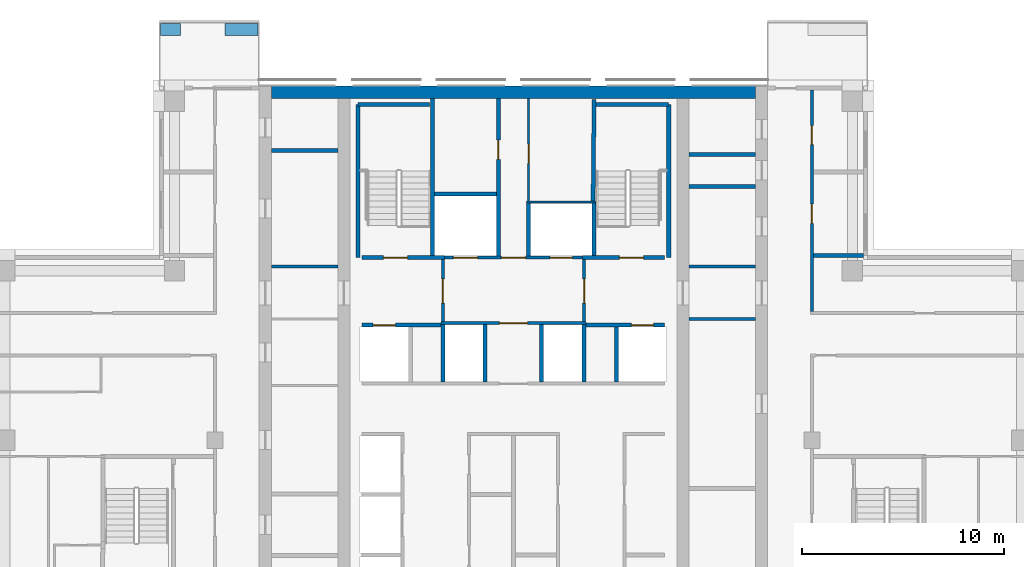
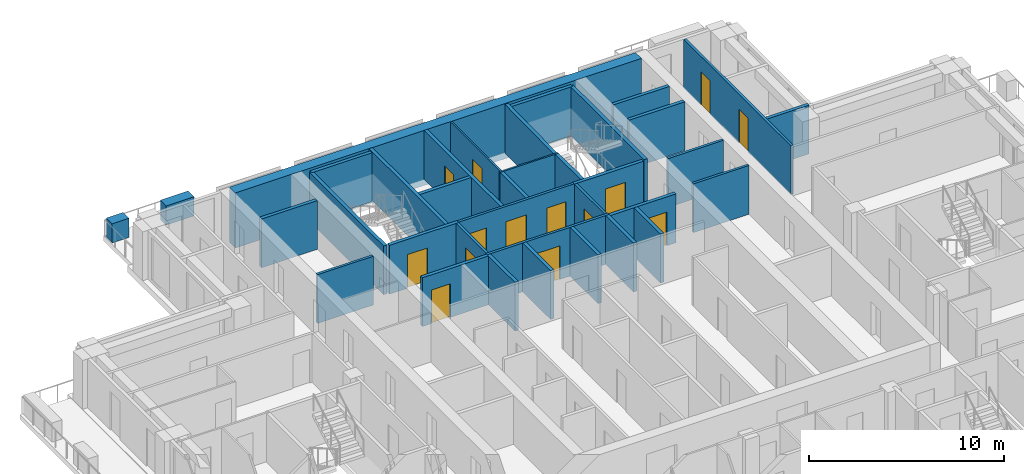
# One storey, part 11 of 17: 36 walls, 14 doors, 14 openings.
"""IFC4 building model written with IfcOpenShell, lengths in metres."""

from ifc_helpers import new_model, si_unit, direction, frame, frame_2d, origin, place, context, subcontext, project, spatial, rectangle, extrude, material, layer, layer_set, type_object, element, fill, save


model = new_model("IFC4")

# Units and contexts
model_context = context("Model", 3, precision=1e-05, world=origin(), true_north=direction((0.0, 1.0)))
body_context = subcontext(model_context, "Body", "Model", "MODEL_VIEW")
ifc_project = project(units=[si_unit("LENGTHUNIT", "METRE"), si_unit("AREAUNIT", "SQUARE_METRE"), si_unit("VOLUMEUNIT", "CUBIC_METRE"), si_unit("PLANEANGLEUNIT", "RADIAN"), si_unit("MASSUNIT", "GRAM", prefix="KILO")], contexts=[model_context])

# Site, building, storey
site_placement = place(None, origin())
site = spatial("IfcSite", under=ifc_project, at=site_placement, CompositionType="ELEMENT")
building_placement = place(site_placement, origin())
building = spatial("IfcBuilding", under=site, at=building_placement, Name="Vermilion Ogive Tower", CompositionType="ELEMENT")
storey_placement = place(building_placement, frame((0.0, 0.0, 196.25)))
storey = spatial("IfcBuildingStorey", under=building, at=storey_placement, Name="L51", CompositionType="ELEMENT", Elevation=196.25)

# Walls
ifc_material_1 = material(Name="Concrete B60", Category="concrete")
ifc_layer_1 = layer(ifc_material_1, 0.60009765625)
ifc_layer_set_1 = layer_set([ifc_layer_1], Name="Core wall 600 B60")
wall_type_1 = type_object("IfcWallType", Name="Core wall 600 B60", PredefinedType="SHEAR", material=ifc_layer_set_1)
wall_1_placement = place(storey_placement, frame((-12.0, 21.449951171875, -0.39990234375), z_axis=(0.0, 0.0, 1.0), x_axis=(1.0, 0.0, 0.0)))
element("IfcWall", 1, at=wall_1_placement, inside=storey, type_object=wall_type_1, Name="L51-CORE-N", PredefinedType="SHEAR", context=body_context, shape_type="SweptSolid", body=[
    extrude(rectangle(XDim=24.0, YDim=0.60009765625, at=frame_2d((12.0, 0.0))), origin(), (0.0, 0.0, 1.0), 3.449951171875),
])
ifc_material_2 = material(Name="Gypsum board partition on steel studs", Category="steel")
ifc_layer_2 = layer(ifc_material_2, 0.10009765625)
ifc_layer_set_2 = layer_set([ifc_layer_2], Name="Partition 100 bath")
wall_type_2 = type_object("IfcWallType", Name="Partition 100 bath", PredefinedType="PARTITIONING", material=ifc_layer_set_2)
wall_2_placement = place(storey_placement, frame((0.64990234375, 16.0, 0.0), z_axis=(0.0, 0.0, 1.0), x_axis=(1.0, 0.0, 0.0)))
element("IfcWall", 2, at=wall_2_placement, inside=storey, type_object=wall_type_2, Name="L51-CK-W-W018", PredefinedType="PARTITIONING", context=body_context, shape_type="SweptSolid", body=[
    extrude(rectangle(XDim=3.4501953125, YDim=0.10009765625, at=frame_2d((1.72509765625, 0.0))), origin(), (0.0, 0.0, 1.0), 3.050048828125),
])

# Wall, opening, door
wall_3_placement = place(storey_placement, frame((0.75, 16.050048828125, 0.0), z_axis=(0.0, 0.0, 1.0), x_axis=(0.0, 1.0, 0.0)))
wall_3 = element("IfcWall", 3, at=wall_3_placement, inside=storey, type_object=wall_type_2, Name="L51-CK-W-W030", PredefinedType="PARTITIONING", context=body_context, shape_type="SweptSolid", body=[
    extrude(rectangle(XDim=5.098876953125, YDim=0.10009765625, at=frame_2d((2.54931640625, 0.0))), origin(), (0.0, 0.0, 1.0), 3.050048828125),
])
opening_1_placement = place(wall_3_placement, frame((1.875, 0.0, 0.0)))
opening_1 = element("IfcOpeningElement", 4, at=opening_1_placement, cuts=wall_3, Name="Opening DAA455", PredefinedType="OPENING", context=body_context, shape_type="SweptSolid", body=[
    extrude(rectangle(XDim=0.949951171875, YDim=2.10009765625, at=frame_2d((0.47509765625, 1.050048828125))), frame((0.0, 0.06005859375, 0.0), z_axis=(0.0, -1.0, 0.0), x_axis=(1.0, 0.0, 0.0)), (0.0, 0.0, 1.0), 0.1201171875),
])
ifc_material_3 = material(Name="Timber door leaf", Category="wood")
door_type_1 = type_object("IfcDoorType", Name="Service door 950 x 2100 FD60", OperationType="SINGLE_SWING_LEFT", PredefinedType="DOOR", material=ifc_material_3)
door_1_placement = place(opening_1_placement, origin())
door_1 = element("IfcDoor", 5, at=door_1_placement, inside=storey, type_object=door_type_1, Name="L51-CK-D-D022", OperationType="SINGLE_SWING_LEFT", OverallHeight=2.10009765625, OverallWidth=0.949951171875, PredefinedType="DOOR", context=body_context, shape_type="SweptSolid", body=[
    extrude(rectangle(XDim=0.949951171875, YDim=2.10009765625, at=frame_2d((0.47509765625, 1.050048828125))), frame((0.0, 0.02490234375, 0.0), z_axis=(0.0, -1.0, 0.0), x_axis=(1.0, 0.0, 0.0)), (0.0, 0.0, 1.0), 0.050048828125),
])
fill(opening_1, door_1)

# Wall, openings, doors
ifc_material_4 = material(Name="Gypsum board partition on steel studs", Category="steel")
ifc_layer_3 = layer(ifc_material_4, 0.14990234375)
ifc_layer_set_3 = layer_set([ifc_layer_3], Name="Partition 150 corridor")
wall_type_3 = type_object("IfcWallType", Name="Partition 150 corridor", PredefinedType="PARTITIONING", material=ifc_layer_set_3)
wall_4_placement = place(storey_placement, frame((14.800048828125, 10.574951171875, 0.0), z_axis=(0.0, 0.0, 1.0), x_axis=(0.0, 1.0, 0.0)))
wall_4 = element("IfcWall", 6, at=wall_4_placement, inside=storey, type_object=wall_type_3, Name="L51-W-W078", PredefinedType="PARTITIONING", context=body_context, shape_type="SweptSolid", body=[
    extrude(rectangle(XDim=10.97509765625, YDim=0.14990234375, at=frame_2d((5.487548828125, 0.0))), origin(), (0.0, 0.0, 1.0), 3.050048828125),
])
opening_2_placement = place(wall_4_placement, frame((4.375, 0.0, 0.0)))
opening_2 = element("IfcOpeningElement", 7, at=opening_2_placement, cuts=wall_4, Name="Opening D4G3023", PredefinedType="OPENING", context=body_context, shape_type="SweptSolid", body=[
    extrude(rectangle(XDim=0.949951171875, YDim=2.10009765625, at=frame_2d((0.47509765625, 1.050048828125))), frame((0.0, 0.0849609375, 0.0), z_axis=(0.0, -1.0, 0.0), x_axis=(1.0, 0.0, 0.0)), (0.0, 0.0, 1.0), 0.169921875),
])
opening_3_placement = place(wall_4_placement, frame((8.275146484375, 0.0, 0.0)))
opening_3 = element("IfcOpeningElement", 8, at=opening_3_placement, cuts=wall_4, Name="Opening D4G3024", PredefinedType="OPENING", context=body_context, shape_type="SweptSolid", body=[
    extrude(rectangle(XDim=0.949951171875, YDim=2.10009765625, at=frame_2d((0.47509765625, 1.050048828125))), frame((0.0, 0.0849609375, 0.0), z_axis=(0.0, -1.0, 0.0), x_axis=(1.0, 0.0, 0.0)), (0.0, 0.0, 1.0), 0.169921875),
])
ifc_material_5 = material(Name="Timber door leaf", Category="wood")
door_type_2 = type_object("IfcDoorType", Name="Unit door 950 x 2100 FD30S", OperationType="SINGLE_SWING_LEFT", PredefinedType="DOOR", material=ifc_material_5)
door_2_placement = place(opening_2_placement, origin())
door_2 = element("IfcDoor", 9, at=door_2_placement, inside=storey, type_object=door_type_2, Name="L51-D-D023", OperationType="SINGLE_SWING_RIGHT", OverallHeight=2.10009765625, OverallWidth=0.949951171875, PredefinedType="DOOR", context=body_context, shape_type="SweptSolid", body=[
    extrude(rectangle(XDim=0.949951171875, YDim=2.10009765625, at=frame_2d((0.47509765625, 1.050048828125))), frame((0.0, 0.02490234375, 0.0), z_axis=(0.0, -1.0, 0.0), x_axis=(1.0, 0.0, 0.0)), (0.0, 0.0, 1.0), 0.050048828125),
])
fill(opening_2, door_2)
door_3_placement = place(opening_3_placement, origin())
door_3 = element("IfcDoor", 10, at=door_3_placement, inside=storey, type_object=door_type_2, Name="L51-D-D024", OperationType="SINGLE_SWING_LEFT", OverallHeight=2.10009765625, OverallWidth=0.949951171875, PredefinedType="DOOR", context=body_context, shape_type="SweptSolid", body=[
    extrude(rectangle(XDim=0.949951171875, YDim=2.10009765625, at=frame_2d((0.47509765625, 1.050048828125))), frame((0.0, 0.02490234375, 0.0), z_axis=(0.0, -1.0, 0.0), x_axis=(1.0, 0.0, 0.0)), (0.0, 0.0, 1.0), 0.050048828125),
])
fill(opening_3, door_3)

# Wall, opening, door
wall_5_placement = place(storey_placement, frame((-3.60009765625, 10.0, 0.0), z_axis=(0.0, 0.0, 1.0), x_axis=(1.0, 0.0, 0.0)))
wall_5 = element("IfcWall", 11, at=wall_5_placement, inside=storey, type_object=wall_type_3, Name="L51-CK-W-W014", PredefinedType="PARTITIONING", context=body_context, shape_type="SweptSolid", body=[
    extrude(rectangle(XDim=7.2001953125, YDim=0.14990234375, at=frame_2d((3.60009765625, 0.0))), origin(), (0.0, 0.0, 1.0), 3.050048828125),
])
opening_4_placement = place(wall_5_placement, frame((2.900146484375, 0.0, 0.0)))
opening_4 = element("IfcOpeningElement", 12, at=opening_4_placement, cuts=wall_5, Name="Opening DAA446", PredefinedType="OPENING", context=body_context, shape_type="SweptSolid", body=[
    extrude(rectangle(XDim=1.39990234375, YDim=2.10009765625, at=frame_2d((0.699951171875, 1.050048828125))), frame((0.0, 0.0849609375, 0.0), z_axis=(0.0, -1.0, 0.0), x_axis=(1.0, 0.0, 0.0)), (0.0, 0.0, 1.0), 0.169921875),
])
ifc_material_6 = material(Name="Timber door leaf", Category="wood")
door_type_3 = type_object("IfcDoorType", Name="Lobby door 1400 x 2100 FD60S", OperationType="SINGLE_SWING_LEFT", PredefinedType="DOOR", material=ifc_material_6)
door_4_placement = place(opening_4_placement, origin())
door_4 = element("IfcDoor", 13, at=door_4_placement, inside=storey, type_object=door_type_3, Name="L51-CK-D-D017", OperationType="SINGLE_SWING_RIGHT", OverallHeight=2.10009765625, OverallWidth=1.39990234375, PredefinedType="DOOR", context=body_context, shape_type="SweptSolid", body=[
    extrude(rectangle(XDim=1.39990234375, YDim=2.10009765625, at=frame_2d((0.699951171875, 1.050048828125))), frame((0.0, 0.02490234375, 0.0), z_axis=(0.0, -1.0, 0.0), x_axis=(1.0, 0.0, 0.0)), (0.0, 0.0, 1.0), 0.050048828125),
])
fill(opening_4, door_4)

# Wall, openings, doors
wall_6_placement = place(storey_placement, frame((-3.574951171875, 13.25, 0.0), z_axis=(0.0, 0.0, 1.0), x_axis=(1.0, 0.0, 0.0)))
wall_6 = element("IfcWall", 14, at=wall_6_placement, inside=storey, type_object=wall_type_3, Name="L51-CK-W-W016", PredefinedType="PARTITIONING", context=body_context, shape_type="SweptSolid", body=[
    extrude(rectangle(XDim=7.14990234375, YDim=0.14990234375, at=frame_2d((3.574951171875, 0.0))), origin(), (0.0, 0.0, 1.0), 3.050048828125),
])
opening_5_placement = place(wall_6_placement, frame((0.599853515625, 0.0, 0.0)))
opening_5 = element("IfcOpeningElement", 15, at=opening_5_placement, cuts=wall_6, Name="Opening DAA466", PredefinedType="OPENING", context=body_context, shape_type="SweptSolid", body=[
    extrude(rectangle(XDim=1.199951171875, YDim=2.10009765625, at=frame_2d((0.60009765625, 1.050048828125))), frame((0.0, 0.0849609375, 0.0), z_axis=(0.0, -1.0, 0.0), x_axis=(1.0, 0.0, 0.0)), (0.0, 0.0, 1.0), 0.169921875),
])
opening_6_placement = place(wall_6_placement, frame((5.39990234375, 0.0, 0.0)))
opening_6 = element("IfcOpeningElement", 16, at=opening_6_placement, cuts=wall_6, Name="Opening DAA465", PredefinedType="OPENING", context=body_context, shape_type="SweptSolid", body=[
    extrude(rectangle(XDim=1.10009765625, YDim=2.10009765625, at=frame_2d((0.550048828125, 1.050048828125))), frame((0.0, 0.0849609375, 0.0), z_axis=(0.0, -1.0, 0.0), x_axis=(1.0, 0.0, 0.0)), (0.0, 0.0, 1.0), 0.169921875),
])
opening_7_placement = place(wall_6_placement, frame((2.974853515625, 0.0, 0.0)))
opening_7 = element("IfcOpeningElement", 17, at=opening_7_placement, cuts=wall_6, Name="Opening DAA447", PredefinedType="OPENING", context=body_context, shape_type="SweptSolid", body=[
    extrude(rectangle(XDim=1.199951171875, YDim=2.10009765625, at=frame_2d((0.60009765625, 1.050048828125))), frame((0.0, 0.0849609375, 0.0), z_axis=(0.0, -1.0, 0.0), x_axis=(1.0, 0.0, 0.0)), (0.0, 0.0, 1.0), 0.169921875),
])
ifc_material_7 = material(Name="Stainless steel", Category="steel")
door_type_4 = type_object("IfcDoorType", Name="Lift landing door 1100 x 2100", OperationType="SLIDING_TO_LEFT", PredefinedType="DOOR", material=ifc_material_7)
door_5_placement = place(opening_6_placement, origin())
door_5 = element("IfcDoor", 18, at=door_5_placement, inside=storey, type_object=door_type_4, Name="L51-CK-D-D019", OperationType="SLIDING_TO_LEFT", OverallHeight=2.10009765625, OverallWidth=1.10009765625, PredefinedType="DOOR", context=body_context, shape_type="SweptSolid", body=[
    extrude(rectangle(XDim=1.10009765625, YDim=2.10009765625, at=frame_2d((0.550048828125, 1.050048828125))), frame((0.0, 0.02490234375, 0.0), z_axis=(0.0, -1.0, 0.0), x_axis=(1.0, 0.0, 0.0)), (0.0, 0.0, 1.0), 0.050048828125),
])
fill(opening_6, door_5)
ifc_material_8 = material(Name="Stainless steel", Category="steel")
door_type_5 = type_object("IfcDoorType", Name="Lift landing door 1200 x 2100", OperationType="SLIDING_TO_LEFT", PredefinedType="DOOR", material=ifc_material_8)
door_6_placement = place(opening_5_placement, origin())
door_6 = element("IfcDoor", 19, at=door_6_placement, inside=storey, type_object=door_type_5, Name="L51-CK-D-D018", OperationType="SLIDING_TO_RIGHT", OverallHeight=2.10009765625, OverallWidth=1.199951171875, PredefinedType="DOOR", context=body_context, shape_type="SweptSolid", body=[
    extrude(rectangle(XDim=1.199951171875, YDim=2.10009765625, at=frame_2d((0.60009765625, 1.050048828125))), frame((0.0, 0.02490234375, 0.0), z_axis=(0.0, -1.0, 0.0), x_axis=(1.0, 0.0, 0.0)), (0.0, 0.0, 1.0), 0.050048828125),
])
fill(opening_5, door_6)
ifc_material_9 = material(Name="Timber door leaf", Category="wood")
door_type_6 = type_object("IfcDoorType", Name="Service door 1200 x 2100 FD60", OperationType="SINGLE_SWING_LEFT", PredefinedType="DOOR", material=ifc_material_9)
door_7_placement = place(opening_7_placement, origin())
door_7 = element("IfcDoor", 20, at=door_7_placement, inside=storey, type_object=door_type_6, Name="L51-CK-D-D020", OperationType="SINGLE_SWING_RIGHT", OverallHeight=2.10009765625, OverallWidth=1.199951171875, PredefinedType="DOOR", context=body_context, shape_type="SweptSolid", body=[
    extrude(rectangle(XDim=1.199951171875, YDim=2.10009765625, at=frame_2d((0.60009765625, 1.050048828125))), frame((0.0, 0.02490234375, 0.0), z_axis=(0.0, -1.0, 0.0), x_axis=(1.0, 0.0, 0.0)), (0.0, 0.0, 1.0), 0.050048828125),
])
fill(opening_7, door_7)

# Wall, opening, door
wall_7_placement = place(storey_placement, frame((-3.5, 10.074951171875, 0.0), z_axis=(0.0, 0.0, 1.0), x_axis=(0.0, 1.0, 0.0)))
wall_7 = element("IfcWall", 21, at=wall_7_placement, inside=storey, type_object=wall_type_3, Name="L51-CK-W-W024", PredefinedType="PARTITIONING", context=body_context, shape_type="SweptSolid", body=[
    extrude(rectangle(XDim=3.074951171875, YDim=0.14990234375, at=frame_2d((1.53759765625, 0.0))), origin(), (0.0, 0.0, 1.0), 3.050048828125),
])
opening_8_placement = place(wall_7_placement, frame((0.925048828125, 0.0, 0.0)))
opening_8 = element("IfcOpeningElement", 22, at=opening_8_placement, cuts=wall_7, Name="Opening DAA443", PredefinedType="OPENING", context=body_context, shape_type="SweptSolid", body=[
    extrude(rectangle(XDim=1.199951171875, YDim=2.10009765625, at=frame_2d((0.60009765625, 1.050048828125))), frame((0.0, 0.0849609375, 0.0), z_axis=(0.0, -1.0, 0.0), x_axis=(1.0, 0.0, 0.0)), (0.0, 0.0, 1.0), 0.169921875),
])
ifc_material_10 = material(Name="Timber door leaf", Category="wood")
door_type_7 = type_object("IfcDoorType", Name="Lobby door 1200 x 2100 FD60S", OperationType="SINGLE_SWING_LEFT", PredefinedType="DOOR", material=ifc_material_10)
door_8_placement = place(opening_8_placement, origin())
door_8 = element("IfcDoor", 23, at=door_8_placement, inside=storey, type_object=door_type_7, Name="L51-CK-D-D023", OperationType="SINGLE_SWING_RIGHT", OverallHeight=2.10009765625, OverallWidth=1.199951171875, PredefinedType="DOOR", context=body_context, shape_type="SweptSolid", body=[
    extrude(rectangle(XDim=1.199951171875, YDim=2.10009765625, at=frame_2d((0.60009765625, 1.050048828125))), frame((0.0, 0.02490234375, 0.0), z_axis=(0.0, -1.0, 0.0), x_axis=(1.0, 0.0, 0.0)), (0.0, 0.0, 1.0), 0.050048828125),
])
fill(opening_8, door_8)

wall_8_placement = place(storey_placement, frame((3.5, 10.074951171875, 0.0), z_axis=(0.0, 0.0, 1.0), x_axis=(0.0, 1.0, 0.0)))
wall_8 = element("IfcWall", 24, at=wall_8_placement, inside=storey, type_object=wall_type_3, Name="L51-CK-W-W034", PredefinedType="PARTITIONING", context=body_context, shape_type="SweptSolid", body=[
    extrude(rectangle(XDim=3.074951171875, YDim=0.14990234375, at=frame_2d((1.53759765625, 0.0))), origin(), (0.0, 0.0, 1.0), 3.050048828125),
])
opening_9_placement = place(wall_8_placement, frame((0.925048828125, 0.0, 0.0)))
opening_9 = element("IfcOpeningElement", 25, at=opening_9_placement, cuts=wall_8, Name="Opening DAA444", PredefinedType="OPENING", context=body_context, shape_type="SweptSolid", body=[
    extrude(rectangle(XDim=1.199951171875, YDim=2.10009765625, at=frame_2d((0.60009765625, 1.050048828125))), frame((0.0, 0.0849609375, 0.0), z_axis=(0.0, -1.0, 0.0), x_axis=(1.0, 0.0, 0.0)), (0.0, 0.0, 1.0), 0.169921875),
])
door_9_placement = place(opening_9_placement, origin())
door_9 = element("IfcDoor", 26, at=door_9_placement, inside=storey, type_object=door_type_7, Name="L51-CK-D-D024", OperationType="SINGLE_SWING_LEFT", OverallHeight=2.10009765625, OverallWidth=1.199951171875, PredefinedType="DOOR", context=body_context, shape_type="SweptSolid", body=[
    extrude(rectangle(XDim=1.199951171875, YDim=2.10009765625, at=frame_2d((0.60009765625, 1.050048828125))), frame((0.0, 0.02490234375, 0.0), z_axis=(0.0, -1.0, 0.0), x_axis=(1.0, 0.0, 0.0)), (0.0, 0.0, 1.0), 0.050048828125),
])
fill(opening_9, door_9)

# Walls
for number, where, z_axis, x_axis, name in (
    (27, (-11.9990234375, 12.800048828125, 0.0), (0.0, 0.0, 1.0), (1.0, 0.0, 0.0), "L51-CKW-W-W005"),
    (28, (8.700927734375, 10.199951171875, 0.0), (0.0, 0.0, 1.0), (1.0, 0.0, 0.0), "L51-CKE-W-W002"),
    (29, (8.700927734375, 12.800048828125, 0.0), (0.0, 0.0, 1.0), (1.0, 0.0, 0.0), "L51-CKE-W-W003"),
):
    element("IfcWall", number, at=place(storey_placement, frame(where, z_axis=z_axis, x_axis=x_axis)), inside=storey, type_object=wall_type_3, Name=name, PredefinedType="PARTITIONING", context=body_context, shape_type="SweptSolid", body=[
        extrude(rectangle(XDim=3.298095703125, YDim=0.14990234375, at=frame_2d((1.64892578125, 0.0))), origin(), (0.0, 0.0, 1.0), 3.050048828125),
    ])
ifc_material_11 = material(Name="Gypsum board partition on steel studs", Category="steel")
ifc_layer_4 = layer(ifc_material_11, 0.199951171875)
ifc_layer_set_4 = layer_set([ifc_layer_4], Name="Partition 200 party")
wall_type_4 = type_object("IfcWallType", Name="Partition 200 party", PredefinedType="PARTITIONING", material=ifc_layer_set_4)
wall_9_placement = place(storey_placement, frame((14.875, 13.35009765625, 0.0), z_axis=(0.0, 0.0, 1.0), x_axis=(1.0, 0.0, 0.0)))
element("IfcWall", 30, at=wall_9_placement, inside=storey, type_object=wall_type_4, Name="L51-W-W043", PredefinedType="PARTITIONING", context=body_context, shape_type="SweptSolid", body=[
    extrude(rectangle(XDim=2.47509765625, YDim=0.199951171875, at=frame_2d((1.237548828125, 0.0))), origin(), (0.0, 0.0, 1.0), 3.050048828125),
])

# Wall, opening, door
wall_10_placement = place(storey_placement, frame((-7.5, 9.89990234375, 0.0), z_axis=(0.0, 0.0, 1.0), x_axis=(1.0, 0.0, 0.0)))
wall_10 = element("IfcWall", 31, at=wall_10_placement, inside=storey, type_object=wall_type_4, Name="L51-CK-W-W012", PredefinedType="PARTITIONING", context=body_context, shape_type="SweptSolid", body=[
    extrude(rectangle(XDim=3.89990234375, YDim=0.199951171875, at=frame_2d((1.949951171875, 0.0))), origin(), (0.0, 0.0, 1.0), 3.050048828125),
])
opening_10_placement = place(wall_10_placement, frame((0.550048828125, 0.0, 0.0)))
opening_10 = element("IfcOpeningElement", 32, at=opening_10_placement, cuts=wall_10, Name="Opening DAA463", PredefinedType="OPENING", context=body_context, shape_type="SweptSolid", body=[
    extrude(rectangle(XDim=1.10009765625, YDim=2.10009765625, at=frame_2d((0.550048828125, 1.050048828125))), frame((0.0, 0.10986328125, 0.0), z_axis=(0.0, -1.0, 0.0), x_axis=(1.0, 0.0, 0.0)), (0.0, 0.0, 1.0), 0.219970703125),
])
door_10_placement = place(opening_10_placement, origin())
door_10 = element("IfcDoor", 33, at=door_10_placement, inside=storey, type_object=door_type_4, Name="L51-CK-D-D013", OperationType="SLIDING_TO_RIGHT", OverallHeight=2.10009765625, OverallWidth=1.10009765625, PredefinedType="DOOR", context=body_context, shape_type="SweptSolid", body=[
    extrude(rectangle(XDim=1.10009765625, YDim=2.10009765625, at=frame_2d((0.550048828125, 1.050048828125))), frame((0.0, 0.02490234375, 0.0), z_axis=(0.0, -1.0, 0.0), x_axis=(1.0, 0.0, 0.0)), (0.0, 0.0, 1.0), 0.050048828125),
])
fill(opening_10, door_10)

wall_11_placement = place(storey_placement, frame((3.60009765625, 9.89990234375, 0.0), z_axis=(0.0, 0.0, 1.0), x_axis=(1.0, 0.0, 0.0)))
wall_11 = element("IfcWall", 34, at=wall_11_placement, inside=storey, type_object=wall_type_4, Name="L51-CK-W-W013", PredefinedType="PARTITIONING", context=body_context, shape_type="SweptSolid", body=[
    extrude(rectangle(XDim=3.89990234375, YDim=0.199951171875, at=frame_2d((1.949951171875, 0.0))), origin(), (0.0, 0.0, 1.0), 3.050048828125),
])
opening_11_placement = place(wall_11_placement, frame((2.25, 0.0, 0.0)))
opening_11 = element("IfcOpeningElement", 35, at=opening_11_placement, cuts=wall_11, Name="Opening DAA464", PredefinedType="OPENING", context=body_context, shape_type="SweptSolid", body=[
    extrude(rectangle(XDim=1.10009765625, YDim=2.10009765625, at=frame_2d((0.550048828125, 1.050048828125))), frame((0.0, 0.10986328125, 0.0), z_axis=(0.0, -1.0, 0.0), x_axis=(1.0, 0.0, 0.0)), (0.0, 0.0, 1.0), 0.219970703125),
])
door_11_placement = place(opening_11_placement, origin())
door_11 = element("IfcDoor", 36, at=door_11_placement, inside=storey, type_object=door_type_4, Name="L51-CK-D-D015", OperationType="SLIDING_TO_LEFT", OverallHeight=2.10009765625, OverallWidth=1.10009765625, PredefinedType="DOOR", context=body_context, shape_type="SweptSolid", body=[
    extrude(rectangle(XDim=1.10009765625, YDim=2.10009765625, at=frame_2d((0.550048828125, 1.050048828125))), frame((0.0, 0.02490234375, 0.0), z_axis=(0.0, -1.0, 0.0), x_axis=(1.0, 0.0, 0.0)), (0.0, 0.0, 1.0), 0.050048828125),
])
fill(opening_11, door_11)

# Walls
wall_12_placement = place(storey_placement, frame((-3.89990234375, 16.39990234375, 0.0), z_axis=(0.0, 0.0, 1.0), x_axis=(1.0, 0.0, 0.0)))
element("IfcWall", 37, at=wall_12_placement, inside=storey, type_object=wall_type_4, Name="L51-CK-W-W019", PredefinedType="PARTITIONING", context=body_context, shape_type="SweptSolid", body=[
    extrude(rectangle(XDim=3.0498046875, YDim=0.199951171875, at=frame_2d((1.52490234375, 0.0))), origin(), (0.0, 0.0, 1.0), 3.050048828125),
])
for number, where, z_axis, x_axis, name in (
    (38, (-3.5, 7.074951171875, 0.0), (0.0, 0.0, 1.0), (0.0, 1.0, 0.0), "L51-CK-W-W023"),
    (39, (-1.39990234375, 7.074951171875, 0.0), (0.0, 0.0, 1.0), (0.0, 1.0, 0.0), "L51-CK-W-W026"),
):
    element("IfcWall", number, at=place(storey_placement, frame(where, z_axis=z_axis, x_axis=x_axis)), inside=storey, type_object=wall_type_4, Name=name, PredefinedType="PARTITIONING", context=body_context, shape_type="SweptSolid", body=[
        extrude(rectangle(XDim=2.85009765625, YDim=0.199951171875, at=frame_2d((1.425048828125, 0.0))), origin(), (0.0, 0.0, 1.0), 3.050048828125),
    ])

# Wall, opening, door
wall_13_placement = place(storey_placement, frame((-0.75, 13.324951171875, 0.0), z_axis=(0.0, 0.0, 1.0), x_axis=(0.0, 1.0, 0.0)))
wall_13 = element("IfcWall", 40, at=wall_13_placement, inside=storey, type_object=wall_type_4, Name="L51-CK-W-W027", PredefinedType="PARTITIONING", context=body_context, shape_type="SweptSolid", body=[
    extrude(rectangle(XDim=7.823974609375, YDim=0.199951171875, at=frame_2d((3.912109375, 0.0))), origin(), (0.0, 0.0, 1.0), 3.050048828125),
])
opening_12_placement = place(wall_13_placement, frame((4.800048828125, 0.0, 0.0)))
opening_12 = element("IfcOpeningElement", 41, at=opening_12_placement, cuts=wall_13, Name="Opening DAA454", PredefinedType="OPENING", context=body_context, shape_type="SweptSolid", body=[
    extrude(rectangle(XDim=0.949951171875, YDim=2.10009765625, at=frame_2d((0.47509765625, 1.050048828125))), frame((0.0, 0.10986328125, 0.0), z_axis=(0.0, -1.0, 0.0), x_axis=(1.0, 0.0, 0.0)), (0.0, 0.0, 1.0), 0.219970703125),
])
door_12_placement = place(opening_12_placement, origin())
door_12 = element("IfcDoor", 42, at=door_12_placement, inside=storey, type_object=door_type_1, Name="L51-CK-D-D021", OperationType="SINGLE_SWING_RIGHT", OverallHeight=2.10009765625, OverallWidth=0.949951171875, PredefinedType="DOOR", context=body_context, shape_type="SweptSolid", body=[
    extrude(rectangle(XDim=0.949951171875, YDim=2.10009765625, at=frame_2d((0.47509765625, 1.050048828125))), frame((0.0, 0.02490234375, 0.0), z_axis=(0.0, -1.0, 0.0), x_axis=(1.0, 0.0, 0.0)), (0.0, 0.0, 1.0), 0.050048828125),
])
fill(opening_12, door_12)

# Walls
wall_14_placement = place(storey_placement, frame((0.75, 13.324951171875, 0.0), z_axis=(0.0, 0.0, 1.0), x_axis=(0.0, 1.0, 0.0)))
element("IfcWall", 43, at=wall_14_placement, inside=storey, type_object=wall_type_4, Name="L51-CK-W-W029", PredefinedType="PARTITIONING", context=body_context, shape_type="SweptSolid", body=[
    extrude(rectangle(XDim=2.625, YDim=0.199951171875, at=frame_2d((1.3125, 0.0))), origin(), (0.0, 0.0, 1.0), 3.050048828125),
])
for number, where, z_axis, x_axis, name in (
    (44, (1.39990234375, 7.074951171875, 0.0), (0.0, 0.0, 1.0), (0.0, 1.0, 0.0), "L51-CK-W-W031"),
    (45, (3.5, 7.074951171875, 0.0), (0.0, 0.0, 1.0), (0.0, 1.0, 0.0), "L51-CK-W-W033"),
):
    element("IfcWall", number, at=place(storey_placement, frame(where, z_axis=z_axis, x_axis=x_axis)), inside=storey, type_object=wall_type_4, Name=name, PredefinedType="PARTITIONING", context=body_context, shape_type="SweptSolid", body=[
        extrude(rectangle(XDim=2.85009765625, YDim=0.199951171875, at=frame_2d((1.425048828125, 0.0))), origin(), (0.0, 0.0, 1.0), 3.050048828125),
    ])
wall_15_placement = place(storey_placement, frame((5.10009765625, 7.074951171875, 0.0), z_axis=(0.0, 0.0, 1.0), x_axis=(0.0, 1.0, 0.0)))
element("IfcWall", 46, at=wall_15_placement, inside=storey, type_object=wall_type_4, Name="L51-CK-W-W037", PredefinedType="PARTITIONING", context=body_context, shape_type="SweptSolid", body=[
    extrude(rectangle(XDim=2.72509765625, YDim=0.199951171875, at=frame_2d((1.362548828125, 0.0))), origin(), (0.0, 0.0, 1.0), 3.050048828125),
])
for number, where, z_axis, x_axis, name in (
    (47, (-11.9990234375, 18.56005859375, 0.0), (0.0, 0.0, 1.0), (1.0, 0.0, 0.0), "L51-CKW-W-W006"),
    (48, (8.700927734375, 16.7880859375, 0.0), (0.0, 0.0, 1.0), (1.0, 0.0, 0.0), "L51-CKE-W-W004"),
    (49, (8.700927734375, 18.373046875, 0.0), (0.0, 0.0, 1.0), (1.0, 0.0, 0.0), "L51-CKE-W-W005"),
):
    element("IfcWall", number, at=place(storey_placement, frame(where, z_axis=z_axis, x_axis=x_axis)), inside=storey, type_object=wall_type_4, Name=name, PredefinedType="PARTITIONING", context=body_context, shape_type="SweptSolid", body=[
        extrude(rectangle(XDim=3.298095703125, YDim=0.199951171875, at=frame_2d((1.64892578125, 0.0))), origin(), (0.0, 0.0, 1.0), 3.050048828125),
    ])

# Wall, opening, door
ifc_material_12 = material(Name="Concrete B60", Category="concrete")
ifc_layer_5 = layer(ifc_material_12, 0.199951171875)
ifc_layer_set_5 = layer_set([ifc_layer_5], Name="Stair shaft wall 200 Concrete B60")
wall_type_5 = type_object("IfcWallType", Name="Stair shaft wall 200 Concrete B60", PredefinedType="SOLIDWALL", material=ifc_layer_set_5)
wall_16_placement = place(storey_placement, frame((-7.5, 13.25, 0.0), z_axis=(0.0, 0.0, 1.0), x_axis=(1.0, 0.0, 0.0)))
wall_16 = element("IfcWall", 50, at=wall_16_placement, inside=storey, type_object=wall_type_5, Name="L51-CK-W-W015", PredefinedType="SOLIDWALL", context=body_context, shape_type="SweptSolid", body=[
    extrude(rectangle(XDim=4.074951171875, YDim=0.199951171875, at=frame_2d((2.03759765625, 0.0))), origin(), (0.0, 0.0, 1.0), 3.050048828125),
])
opening_13_placement = place(wall_16_placement, frame((1.050048828125, 0.0, 0.0)))
opening_13 = element("IfcOpeningElement", 51, at=opening_13_placement, cuts=wall_16, Name="Opening DAA456", PredefinedType="OPENING", context=body_context, shape_type="SweptSolid", body=[
    extrude(rectangle(XDim=1.199951171875, YDim=2.10009765625, at=frame_2d((0.60009765625, 1.050048828125))), frame((0.0, 0.10986328125, 0.0), z_axis=(0.0, -1.0, 0.0), x_axis=(1.0, 0.0, 0.0)), (0.0, 0.0, 1.0), 0.219970703125),
])
ifc_material_13 = material(Name="Timber door leaf", Category="wood")
door_type_8 = type_object("IfcDoorType", Name="Stair door 1200 x 2100 FD60S", OperationType="SINGLE_SWING_LEFT", PredefinedType="DOOR", material=ifc_material_13)
door_13_placement = place(opening_13_placement, origin())
door_13 = element("IfcDoor", 52, at=door_13_placement, inside=storey, type_object=door_type_8, Name="L51-CK-D-D012", OperationType="SINGLE_SWING_LEFT", OverallHeight=2.10009765625, OverallWidth=1.199951171875, PredefinedType="DOOR", context=body_context, shape_type="SweptSolid", body=[
    extrude(rectangle(XDim=1.199951171875, YDim=2.10009765625, at=frame_2d((0.60009765625, 1.050048828125))), frame((0.0, 0.02490234375, 0.0), z_axis=(0.0, -1.0, 0.0), x_axis=(1.0, 0.0, 0.0)), (0.0, 0.0, 1.0), 0.050048828125),
])
fill(opening_13, door_13)

wall_17_placement = place(storey_placement, frame((3.425048828125, 13.25, 0.0), z_axis=(0.0, 0.0, 1.0), x_axis=(1.0, 0.0, 0.0)))
wall_17 = element("IfcWall", 53, at=wall_17_placement, inside=storey, type_object=wall_type_5, Name="L51-CK-W-W017", PredefinedType="SOLIDWALL", context=body_context, shape_type="SweptSolid", body=[
    extrude(rectangle(XDim=4.074951171875, YDim=0.199951171875, at=frame_2d((2.03759765625, 0.0))), origin(), (0.0, 0.0, 1.0), 3.050048828125),
])
opening_14_placement = place(wall_17_placement, frame((1.824951171875, 0.0, 0.0)))
opening_14 = element("IfcOpeningElement", 54, at=opening_14_placement, cuts=wall_17, Name="Opening DAA457", PredefinedType="OPENING", context=body_context, shape_type="SweptSolid", body=[
    extrude(rectangle(XDim=1.199951171875, YDim=2.10009765625, at=frame_2d((0.60009765625, 1.050048828125))), frame((0.0, 0.10986328125, 0.0), z_axis=(0.0, -1.0, 0.0), x_axis=(1.0, 0.0, 0.0)), (0.0, 0.0, 1.0), 0.219970703125),
])
door_14_placement = place(opening_14_placement, origin())
door_14 = element("IfcDoor", 55, at=door_14_placement, inside=storey, type_object=door_type_8, Name="L51-CK-D-D014", OperationType="SINGLE_SWING_RIGHT", OverallHeight=2.10009765625, OverallWidth=1.199951171875, PredefinedType="DOOR", context=body_context, shape_type="SweptSolid", body=[
    extrude(rectangle(XDim=1.199951171875, YDim=2.10009765625, at=frame_2d((0.60009765625, 1.050048828125))), frame((0.0, 0.02490234375, 0.0), z_axis=(0.0, -1.0, 0.0), x_axis=(1.0, 0.0, 0.0)), (0.0, 0.0, 1.0), 0.050048828125),
])
fill(opening_14, door_14)

# Walls
wall_18_placement = place(storey_placement, frame((-4.0, 13.35009765625, 0.0), z_axis=(0.0, 0.0, 1.0), x_axis=(0.0, 1.0, 0.0)))
element("IfcWall", 56, at=wall_18_placement, inside=storey, type_object=wall_type_5, Name="L51-CK-W-W022", PredefinedType="SOLIDWALL", context=body_context, shape_type="SweptSolid", body=[
    extrude(rectangle(XDim=7.798828125, YDim=0.199951171875, at=frame_2d((3.8994140625, 0.0))), origin(), (0.0, 0.0, 1.0), 3.050048828125),
])
wall_19_placement = place(storey_placement, frame((4.0, 13.35009765625, 0.0), z_axis=(0.0, 0.0, 1.0), x_axis=(0.0, 1.0, 0.0)))
element("IfcWall", 57, at=wall_19_placement, inside=storey, type_object=wall_type_5, Name="L51-CK-W-W035", PredefinedType="SOLIDWALL", context=body_context, shape_type="SweptSolid", body=[
    extrude(rectangle(XDim=2.599853515625, YDim=0.199951171875, at=frame_2d((1.2998046875, 0.0))), origin(), (0.0, 0.0, 1.0), 3.050048828125),
])
wall_20_placement = place(storey_placement, frame((3.949951171875, 16.050048828125, 0.0), z_axis=(0.0, 0.0, 1.0), x_axis=(0.009911993103, 0.99995087499, 0.0)))
element("IfcWall", 58, at=wall_20_placement, inside=storey, type_object=wall_type_5, Name="L51-CK-W-W036", PredefinedType="SOLIDWALL", context=body_context, shape_type="SweptSolid", body=[
    extrude(rectangle(XDim=5.04931640625, YDim=0.199951171875, at=frame_2d((2.524658203125, 0.0))), origin(), (0.0, 0.0, 1.0), 3.050048828125),
])
wall_21_placement = place(storey_placement, frame((-7.699951171875, 13.25, 0.0), z_axis=(0.0, 0.0, 1.0), x_axis=(0.0, 1.0, 0.0)))
element("IfcWall", 59, at=wall_21_placement, inside=storey, type_object=wall_type_5, Name="L51-SW-R017-W1", PredefinedType="SOLIDWALL", context=body_context, shape_type="SweptSolid", body=[
    extrude(rectangle(XDim=7.60009765625, YDim=0.199951171875, at=frame_2d((3.800048828125, 0.0))), origin(), (0.0, 0.0, 1.0), 3.050048828125),
])
wall_22_placement = place(storey_placement, frame((-7.699951171875, 20.85009765625, 0.0), z_axis=(0.0, 0.0, 1.0), x_axis=(1.0, 0.0, 0.0)))
element("IfcWall", 60, at=wall_22_placement, inside=storey, type_object=wall_type_5, Name="L51-SW-R017-N1", PredefinedType="SOLIDWALL", context=body_context, shape_type="SweptSolid", body=[
    extrude(rectangle(XDim=3.550048828125, YDim=0.199951171875, at=frame_2d((1.77490234375, 0.0))), origin(), (0.0, 0.0, 1.0), 3.050048828125),
])
wall_23_placement = place(storey_placement, frame((7.699951171875, 13.25, 0.0), z_axis=(0.0, 0.0, 1.0), x_axis=(0.0, 1.0, 0.0)))
element("IfcWall", 61, at=wall_23_placement, inside=storey, type_object=wall_type_5, Name="L51-SW-R021-E1", PredefinedType="SOLIDWALL", context=body_context, shape_type="SweptSolid", body=[
    extrude(rectangle(XDim=7.60009765625, YDim=0.199951171875, at=frame_2d((3.800048828125, 0.0))), origin(), (0.0, 0.0, 1.0), 3.050048828125),
])
wall_24_placement = place(storey_placement, frame((4.10009765625, 20.85009765625, 0.0), z_axis=(0.0, 0.0, 1.0), x_axis=(1.0, 0.0, 0.0)))
element("IfcWall", 62, at=wall_24_placement, inside=storey, type_object=wall_type_5, Name="L51-SW-R021-N1", PredefinedType="SOLIDWALL", context=body_context, shape_type="SweptSolid", body=[
    extrude(rectangle(XDim=3.599853515625, YDim=0.199951171875, at=frame_2d((1.7998046875, 0.0))), origin(), (0.0, 0.0, 1.0), 3.050048828125),
])
ifc_material_14 = material(Name="Concrete B40", Category="concrete")
ifc_layer_6 = layer(ifc_material_14, 0.60009765625)
ifc_layer_set_6 = layer_set([ifc_layer_6], Name="Structural planter")
wall_type_6 = type_object("IfcWallType", Name="Structural planter", PredefinedType="USERDEFINED", material=ifc_layer_set_6)
wall_25_placement = place(storey_placement, frame((-12.659912109375, 24.550048828125, -0.0400390625), z_axis=(0.0, 0.0, 1.0), x_axis=(-1.0, 0.0, 0.0)))
element("IfcWall", 63, at=wall_25_placement, inside=storey, type_object=wall_type_6, Name="Planter N201A1", ObjectType="PLANTER", PredefinedType="USERDEFINED", context=body_context, shape_type="SweptSolid", body=[
    extrude(rectangle(XDim=1.64013671875, YDim=0.60009765625, at=frame_2d((0.820068359375, 0.0))), origin(), (0.0, 0.0, 1.0), 1.199951171875),
])
wall_26_placement = place(storey_placement, frame((-16.5, 24.550048828125, -0.0400390625), z_axis=(0.0, 0.0, 1.0), x_axis=(-1.0, 0.0, 0.0)))
element("IfcWall", 64, at=wall_26_placement, inside=storey, type_object=wall_type_6, Name="Planter N201A2", ObjectType="PLANTER", PredefinedType="USERDEFINED", context=body_context, shape_type="SweptSolid", body=[
    extrude(rectangle(XDim=0.989990234375, YDim=0.60009765625, at=frame_2d((0.4951171875, 0.0))), origin(), (0.0, 0.0, 1.0), 1.199951171875),
])

save(model, "model.ifc")
